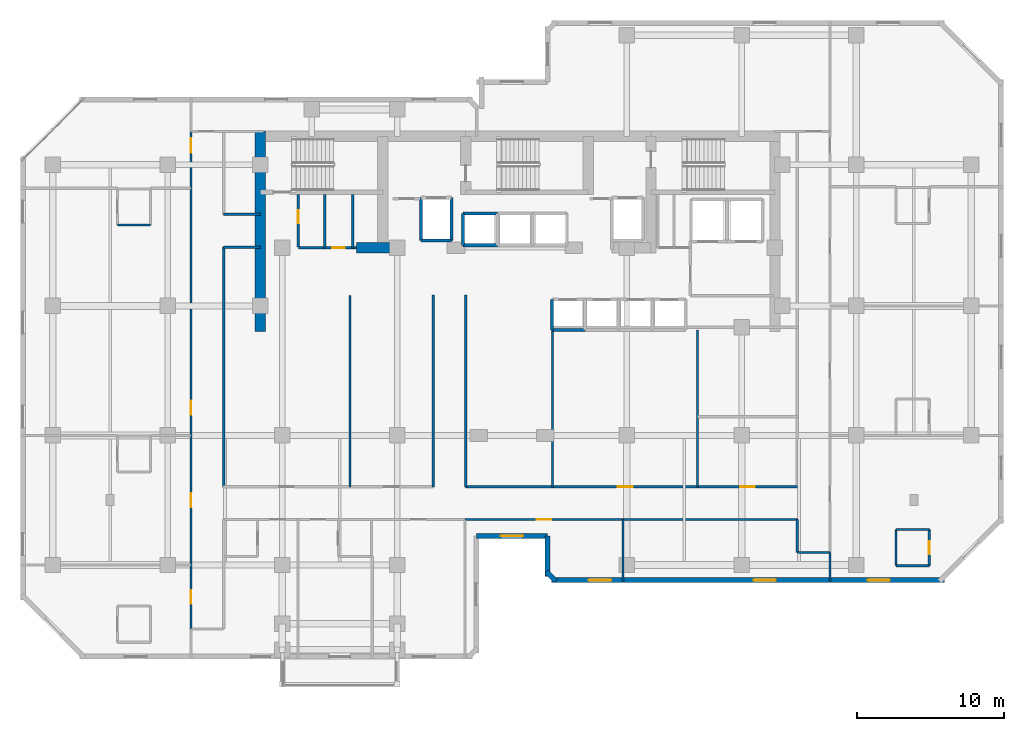
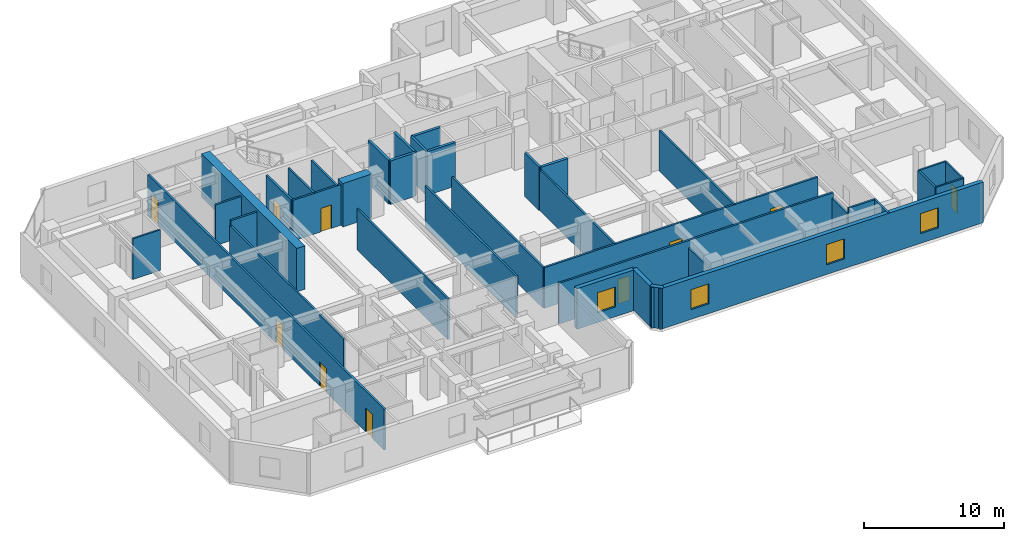
# One storey, part 6 of 11: 38 walls, 10 doors, 4 windows, 14 openings.
"""IFC4 building model written with IfcOpenShell, lengths in metres."""

import ifcopenshell
import ifcopenshell.guid

model = None  # the IFC model being written
_history = None  # IfcOwnerHistory: only IFC2X3 demands one
_inside = {}  # id of a spatial element -> (the spatial element, [elements in it])
_under = {}  # id of a project, library or spatial element -> (it, [spatial elements below it])
_declared = {}  # id of a project -> (the project, [libraries it declares])
_typed = {}  # id of a type object -> (the type object, [elements of that type])
_made_of = {}  # id of a material, layer set ... -> (it, [elements and type objects made of it])


def new_model(schema):
    """Start an empty IFC model of exactly this schema.

    Asked for "IFC4X3", IfcOpenShell would pick the latest addendum, in which some entities
    have other attributes; the version numbers below select the first issue.
    IFC2X3 requires an IfcOwnerHistory on every rooted entity: one is made here for all.
    """
    global model, _history
    if schema == "IFC4X3":
        model = ifcopenshell.file(schema_version=(4, 3, 0, 0))
    else:
        model = ifcopenshell.file(schema=schema)
    _inside.clear()
    _under.clear()
    _declared.clear()
    _typed.clear()
    _made_of.clear()
    _history = None
    if model.schema == "IFC2X3":
        org = make("IfcOrganization", Name="unknown")
        user = make(
            "IfcPersonAndOrganization",
            ThePerson=make("IfcPerson", FamilyName="unknown"),
            TheOrganization=org,
        )
        app = make(
            "IfcApplication",
            ApplicationDeveloper=org,
            Version="unknown",
            ApplicationFullName="unknown",
            ApplicationIdentifier="unknown",
        )
        _history = make(
            "IfcOwnerHistory",
            OwningUser=user,
            OwningApplication=app,
            ChangeAction="ADDED",
            CreationDate=0,
        )
    return model


def make(cls, **values):
    """One entity of the class cls with the attributes given. An attribute that is None is left unset."""
    return model.create_entity(
        cls, **{name: value for name, value in values.items() if value is not None}
    )


def rooted(cls, **values):
    """An entity with a GlobalId (a new one), such as an element, a storey or a relation."""
    return make(cls, GlobalId=ifcopenshell.guid.new(), OwnerHistory=_history, **values)


def si_unit(unit_type, name, prefix=None):
    """IfcSIUnit, for example si_unit("LENGTHUNIT", "METRE", prefix="MILLI")."""
    return make("IfcSIUnit", UnitType=unit_type, Prefix=prefix, Name=name)


def assignment(units):
    """IfcUnitAssignment: the units of a project."""
    return None if units is None else make("IfcUnitAssignment", Units=units)


def point(xyz):
    """IfcCartesianPoint."""
    return None if xyz is None else make("IfcCartesianPoint", Coordinates=xyz)


def direction(xyz):
    """IfcDirection."""
    return None if xyz is None else make("IfcDirection", DirectionRatios=xyz)


def frame(location, z_axis=None, x_axis=None):
    """IfcAxis2Placement3D, a coordinate frame: its origin and axes. An axis left out is left unset."""
    return make(
        "IfcAxis2Placement3D",
        Location=point(location),
        Axis=direction(z_axis),
        RefDirection=direction(x_axis),
    )


def frame_2d(location, x_axis=None):
    """IfcAxis2Placement2D, a coordinate frame in the plane: its origin and x axis."""
    return make(
        "IfcAxis2Placement2D", Location=point(location), RefDirection=direction(x_axis)
    )


def origin():
    """The frame at (0, 0, 0) with its axes left unset."""
    return frame((0.0, 0.0, 0.0))


def place(relative_to, where):
    """IfcLocalPlacement: puts the frame where relative to a parent placement (None: the world)."""
    return make(
        "IfcLocalPlacement", PlacementRelTo=relative_to, RelativePlacement=where
    )


def context(
    kind, dimensions, precision=None, world=None, true_north=None, identifier=None
):
    """IfcGeometricRepresentationContext, for example the 3D "Model" context."""
    return make(
        "IfcGeometricRepresentationContext",
        ContextIdentifier=identifier,
        ContextType=kind,
        CoordinateSpaceDimension=dimensions,
        Precision=precision,
        WorldCoordinateSystem=world,
        TrueNorth=true_north,
    )


def subcontext(parent, identifier, kind, view, scale=None):
    """IfcGeometricRepresentationSubContext, for example "Body" below "Model"."""
    return make(
        "IfcGeometricRepresentationSubContext",
        ContextIdentifier=identifier,
        ContextType=kind,
        ParentContext=parent,
        TargetScale=scale,
        TargetView=view,
    )


def project(units=None, contexts=None):
    """IfcProject with its units and contexts."""
    return rooted(
        "IfcProject",
        Name="project",
        RepresentationContexts=contexts,
        UnitsInContext=assignment(units),
    )


def spatial(cls, under=None, at=None, **own):
    """A site, building, storey or space (cls), placed at a placement, below another one or the project."""
    s = rooted(cls, ObjectPlacement=at, **own)
    if under is not None:
        _under.setdefault(under.id(), (under, []))[1].append(s)
    return s


def profile(cls, at=None, kind="AREA", **sizes):
    """A parametric profile (cls). Its sizes go by their IFC names, for example OverallWidth=200.0."""
    return make(cls, ProfileType=kind, Position=at, **sizes)


def rectangle(**sizes):
    """IfcRectangleProfileDef."""
    return profile("IfcRectangleProfileDef", **sizes)


def extrude(swept, where, along, depth):
    """IfcExtrudedAreaSolid: the profile swept, set in the frame where, extruded along a direction by depth."""
    return make(
        "IfcExtrudedAreaSolid",
        SweptArea=swept,
        Position=where,
        ExtrudedDirection=direction(along),
        Depth=depth,
    )


def shape(context_of_items, identifier, shape_type, items):
    """IfcShapeRepresentation: the items that make up one representation, for example the "Body"."""
    return make(
        "IfcShapeRepresentation",
        ContextOfItems=context_of_items,
        RepresentationIdentifier=identifier,
        RepresentationType=shape_type,
        Items=items,
    )


def material(Name=None, Category=None):
    """IfcMaterial."""
    return make("IfcMaterial", Name=Name, Category=Category)


def layer(
    of_material, thickness, ventilated=None, Name=None, Category=None, Priority=None
):
    """IfcMaterialLayer: one layer of a wall or slab, of a material (None: an air gap)."""
    return make(
        "IfcMaterialLayer",
        Material=of_material,
        LayerThickness=thickness,
        IsVentilated=ventilated,
        Name=Name,
        Category=Category,
        Priority=Priority,
    )


def layer_set(layers, Name=None):
    """IfcMaterialLayerSet."""
    return make("IfcMaterialLayerSet", MaterialLayers=layers, LayerSetName=Name)


def made_of(thing, what):
    """Note that an element or type object is made of a material, layer set ...; save() writes the relation."""
    if what is not None:
        _made_of.setdefault(what.id(), (what, []))[1].append(thing)
    return thing


def type_object(cls, material=None, **own):
    """A type object (cls), such as IfcWallType, which elements share."""
    return made_of(rooted(cls, **own), material)


def element(
    cls,
    number,
    at=None,
    inside=None,
    cuts=None,
    type_object=None,
    material=None,
    context=None,
    identifier="Body",
    shape_type=None,
    held_by="IfcProductDefinitionShape",
    body=None,
    shapes=None,
    **own,
):
    """One element of the class cls, such as IfcWall. Its Tag is "e" and its number.

    at: its placement. inside: the storey or other place that contains it. cuts: it is an
    opening in that element (IfcRelVoidsElement). A single representation is given by context,
    identifier, shape_type and body (its items); several are given by shapes. held_by: the class
    of the entity that holds the representations. save() writes the other relations.
    """
    e = rooted(cls, Tag="e%d" % number, ObjectPlacement=at, **own)
    if body is not None:
        shapes = [shape(context, identifier, shape_type, body)]
    if shapes is not None:
        e.Representation = make(held_by, Representations=shapes)
    if inside is not None:
        _inside.setdefault(inside.id(), (inside, []))[1].append(e)
    if cuts is not None:
        rooted(
            "IfcRelVoidsElement", RelatingBuildingElement=cuts, RelatedOpeningElement=e
        )
    if type_object is not None:
        _typed.setdefault(type_object.id(), (type_object, []))[1].append(e)
    return made_of(e, material)


def fill(opening, filler):
    """IfcRelFillsElement: the door or window that sits in an opening."""
    return rooted(
        "IfcRelFillsElement",
        RelatingOpeningElement=opening,
        RelatedBuildingElement=filler,
    )


def aggregate(whole, parts):
    """IfcRelAggregates: a whole, such as a stair, and the parts it consists of."""
    return rooted("IfcRelAggregates", RelatingObject=whole, RelatedObjects=parts)


def save(model, path):
    """Write the relations noted so far, then the file.

    IfcRelAggregates (storeys below a building ...), IfcRelContainedInSpatialStructure (elements
    in a storey), IfcRelDefinesByType, IfcRelAssociatesMaterial and IfcRelDeclares: one each for
    every whole, place, type object, material and project.
    """
    for whole, parts in _under.values():
        aggregate(whole, parts)
    for where, things in _inside.values():
        rooted(
            "IfcRelContainedInSpatialStructure",
            RelatedElements=things,
            RelatingStructure=where,
        )
    for kind, things in _typed.values():
        rooted("IfcRelDefinesByType", RelatedObjects=things, RelatingType=kind)
    for what, things in _made_of.values():
        rooted("IfcRelAssociatesMaterial", RelatedObjects=things, RelatingMaterial=what)
    for by, libraries in _declared.values():
        rooted("IfcRelDeclares", RelatingContext=by, RelatedDefinitions=libraries)
    model.write(path)


model = new_model("IFC4")

# Units and contexts
model_context = context("Model", 3, precision=1e-05, world=origin(), true_north=direction((0.0, 1.0)))
body_context = subcontext(model_context, "Body", "Model", "MODEL_VIEW")
ifc_project = project(units=[si_unit("LENGTHUNIT", "METRE"), si_unit("AREAUNIT", "SQUARE_METRE"), si_unit("VOLUMEUNIT", "CUBIC_METRE"), si_unit("PLANEANGLEUNIT", "RADIAN"), si_unit("MASSUNIT", "GRAM", prefix="KILO")], contexts=[model_context])

# Site, building, storey
site_placement = place(None, origin())
site = spatial("IfcSite", under=ifc_project, at=site_placement, CompositionType="ELEMENT")
building_placement = place(site_placement, origin())
building = spatial("IfcBuilding", under=site, at=building_placement, Name="Kestravale Grand Hotel", CompositionType="ELEMENT")
storey_placement = place(building_placement, frame((0.0, 0.0, 168.800048828125)))
storey = spatial("IfcBuildingStorey", under=building, at=storey_placement, Name="L42", CompositionType="ELEMENT", Elevation=168.800048828125)

# Walls
ifc_material_1 = material(Name="Concrete f'c 60 MPa", Category="concrete")
ifc_layer_1 = layer(ifc_material_1, 0.699951171875)
ifc_layer_set_1 = layer_set([ifc_layer_1], Name="EW-CORE-700")
wall_type_1 = type_object("IfcWallType", Name="EW-CORE-700", PredefinedType="SHEAR", material=ifc_layer_set_1)
wall_1_placement = place(storey_placement, frame((21.89990234375, 27.050048828125, 0.0), z_axis=(0.0, 0.0, 1.0), x_axis=(0.0, 1.0, 0.0)))
element("IfcWall", 1, at=wall_1_placement, inside=storey, type_object=wall_type_1, Name="L42 core shear wall W1", PredefinedType="SHEAR", context=body_context, shape_type="SweptSolid", body=[
    extrude(rectangle(XDim=13.619873046875, YDim=0.699951171875, at=frame_2d((6.81005859375, 0.0))), origin(), (0.0, 0.0, 1.0), 3.800048828125),
])
wall_2_placement = place(storey_placement, frame((28.449951171875, 32.75, 0.0), z_axis=(0.0, 0.0, 1.0), x_axis=(1.0, 0.0, 0.0)))
element("IfcWall", 2, at=wall_2_placement, inside=storey, type_object=wall_type_1, Name="L42 core shear wall S1", PredefinedType="SHEAR", context=body_context, shape_type="SweptSolid", body=[
    extrude(rectangle(XDim=2.400146484375, YDim=0.699951171875, at=frame_2d((1.2001953125, 0.0))), origin(), (0.0, 0.0, 1.0), 3.800048828125),
])

# Wall, opening, window
ifc_material_2 = material(Name="Precast concrete f'c 45 MPa", Category="concrete")
ifc_layer_2 = layer(ifc_material_2, 0.340087890625)
ifc_layer_set_2 = layer_set([ifc_layer_2], Name="EW-PREC-340")
wall_type_2 = type_object("IfcWallType", Name="EW-PREC-340", PredefinedType="SOLIDWALL", material=ifc_layer_set_2)
wall_3_placement = place(storey_placement, frame((36.580078125, 13.169921875, 0.0), z_axis=(0.0, 0.0, 1.0), x_axis=(1.0, 0.0, 0.0)))
wall_3 = element("IfcWall", 3, at=wall_3_placement, inside=storey, type_object=wall_type_2, Name="L42 fluted precast facade wall 4", PredefinedType="SOLIDWALL", context=body_context, shape_type="SweptSolid", body=[
    extrude(rectangle(XDim=4.83984375, YDim=0.340087890625, at=frame_2d((2.419921875, 0.0))), origin(), (0.0, 0.0, 1.0), 3.550048828125),
])
opening_1_placement = place(wall_3_placement, frame((1.669921875, 0.0, 0.85009765625)))
opening_1 = element("IfcOpeningElement", 4, at=opening_1_placement, cuts=wall_3, Name="Opening W-GUEST-1500", PredefinedType="OPENING", context=body_context, shape_type="SweptSolid", body=[
    extrude(rectangle(XDim=1.5, YDim=1.75, at=frame_2d((0.75, 0.875))), frame((0.0, 0.179931640625, 0.0), z_axis=(0.0, -1.0, 0.0), x_axis=(1.0, 0.0, 0.0)), (0.0, 0.0, 1.0), 0.360107421875),
])
ifc_material_3 = material(Name="Insulated low-E double glazing in aluminium frame", Category="aluminium")
window_type = type_object("IfcWindowType", Name="W-GUEST-1500", PartitioningType="SINGLE_PANEL", PredefinedType="WINDOW", material=ifc_material_3)
window_1_placement = place(opening_1_placement, origin())
window_1 = element("IfcWindow", 5, at=window_1_placement, inside=storey, type_object=window_type, Name="L42 exterior window 4.1", OverallHeight=1.75, OverallWidth=1.5, PartitioningType="SINGLE_PANEL", PredefinedType="WINDOW", context=body_context, shape_type="SweptSolid", body=[
    extrude(rectangle(XDim=1.5, YDim=1.75, at=frame_2d((0.75, 0.875))), frame((0.0, 0.030029296875, 0.0), z_axis=(0.0, -1.0, 0.0), x_axis=(1.0, 0.0, 0.0)), (0.0, 0.0, 1.0), 0.06005859375),
])
fill(opening_1, window_1)

# Walls
wall_4_placement = place(storey_placement, frame((41.419921875, 13.169921875, 0.0), z_axis=(0.0, 0.0, 1.0), x_axis=(0.0, -1.0, 0.0)))
element("IfcWall", 6, at=wall_4_placement, inside=storey, type_object=wall_type_2, Name="L42 fluted precast facade wall 5", PredefinedType="SOLIDWALL", context=body_context, shape_type="SweptSolid", body=[
    extrude(rectangle(XDim=2.739990234375, YDim=0.340087890625, at=frame_2d((1.3701171875, 0.0))), origin(), (0.0, 0.0, 1.0), 3.550048828125),
])
wall_5_placement = place(storey_placement, frame((41.341796875, 10.74853515625, 0.0), z_axis=(0.0, 0.0, 1.0), x_axis=(0.707106781187, -0.707106781187, 0.0)))
element("IfcWall", 7, at=wall_5_placement, inside=storey, type_object=wall_type_2, Name="L42 fluted precast facade wall 6", PredefinedType="SOLIDWALL", context=body_context, shape_type="SweptSolid", body=[
    extrude(rectangle(XDim=0.9287109375, YDim=0.340087890625, at=frame_2d((0.46435546875, 0.0))), origin(), (0.0, 0.0, 1.0), 3.550048828125),
])

# Wall, openings, windows
wall_6_placement = place(storey_placement, frame((41.679931640625, 10.169921875, 0.0), z_axis=(0.0, 0.0, 1.0), x_axis=(1.0, 0.0, 0.0)))
wall_6 = element("IfcWall", 8, at=wall_6_placement, inside=storey, type_object=wall_type_2, Name="L42 fluted precast facade wall 7", PredefinedType="SOLIDWALL", context=body_context, shape_type="SweptSolid", body=[
    extrude(rectangle(XDim=26.690185546875, YDim=0.340087890625, at=frame_2d((13.34521484375, 0.0))), origin(), (0.0, 0.0, 1.0), 3.550048828125),
])
opening_2_placement = place(wall_6_placement, frame((2.54833984375, 0.0, 0.85009765625)))
opening_2 = element("IfcOpeningElement", 9, at=opening_2_placement, cuts=wall_6, Name="Opening W-GUEST-1500", PredefinedType="OPENING", context=body_context, shape_type="SweptSolid", body=[
    extrude(rectangle(XDim=1.5, YDim=1.75, at=frame_2d((0.75, 0.875))), frame((0.0, 0.179931640625, 0.0), z_axis=(0.0, -1.0, 0.0), x_axis=(1.0, 0.0, 0.0)), (0.0, 0.0, 1.0), 0.360107421875),
])
opening_3_placement = place(wall_6_placement, frame((13.7451171875, 0.0, 0.85009765625)))
opening_3 = element("IfcOpeningElement", 10, at=opening_3_placement, cuts=wall_6, Name="Opening W-GUEST-1500", PredefinedType="OPENING", context=body_context, shape_type="SweptSolid", body=[
    extrude(rectangle(XDim=1.5, YDim=1.75, at=frame_2d((0.75, 0.875))), frame((0.0, 0.179931640625, 0.0), z_axis=(0.0, -1.0, 0.0), x_axis=(1.0, 0.0, 0.0)), (0.0, 0.0, 1.0), 0.360107421875),
])
opening_4_placement = place(wall_6_placement, frame((21.49169921875, 0.0, 0.85009765625)))
opening_4 = element("IfcOpeningElement", 11, at=opening_4_placement, cuts=wall_6, Name="Opening W-GUEST-1500", PredefinedType="OPENING", context=body_context, shape_type="SweptSolid", body=[
    extrude(rectangle(XDim=1.5, YDim=1.75, at=frame_2d((0.75, 0.875))), frame((0.0, 0.179931640625, 0.0), z_axis=(0.0, -1.0, 0.0), x_axis=(1.0, 0.0, 0.0)), (0.0, 0.0, 1.0), 0.360107421875),
])
window_2_placement = place(opening_2_placement, origin())
window_2 = element("IfcWindow", 12, at=window_2_placement, inside=storey, type_object=window_type, Name="L42 exterior window 7.1", OverallHeight=1.75, OverallWidth=1.5, PartitioningType="SINGLE_PANEL", PredefinedType="WINDOW", context=body_context, shape_type="SweptSolid", body=[
    extrude(rectangle(XDim=1.5, YDim=1.75, at=frame_2d((0.75, 0.875))), frame((0.0, 0.030029296875, 0.0), z_axis=(0.0, -1.0, 0.0), x_axis=(1.0, 0.0, 0.0)), (0.0, 0.0, 1.0), 0.06005859375),
])
fill(opening_2, window_2)
window_3_placement = place(opening_3_placement, origin())
window_3 = element("IfcWindow", 13, at=window_3_placement, inside=storey, type_object=window_type, Name="L42 exterior window 7.2", OverallHeight=1.75, OverallWidth=1.5, PartitioningType="SINGLE_PANEL", PredefinedType="WINDOW", context=body_context, shape_type="SweptSolid", body=[
    extrude(rectangle(XDim=1.5, YDim=1.75, at=frame_2d((0.75, 0.875))), frame((0.0, 0.030029296875, 0.0), z_axis=(0.0, -1.0, 0.0), x_axis=(1.0, 0.0, 0.0)), (0.0, 0.0, 1.0), 0.06005859375),
])
fill(opening_3, window_3)
window_4_placement = place(opening_4_placement, origin())
window_4 = element("IfcWindow", 14, at=window_4_placement, inside=storey, type_object=window_type, Name="L42 exterior window 7.3", OverallHeight=1.75, OverallWidth=1.5, PartitioningType="SINGLE_PANEL", PredefinedType="WINDOW", context=body_context, shape_type="SweptSolid", body=[
    extrude(rectangle(XDim=1.5, YDim=1.75, at=frame_2d((0.75, 0.875))), frame((0.0, 0.030029296875, 0.0), z_axis=(0.0, -1.0, 0.0), x_axis=(1.0, 0.0, 0.0)), (0.0, 0.0, 1.0), 0.06005859375),
])
fill(opening_4, window_4)

# Wall, opening, door
ifc_material_4 = material(Name="Acoustic fire-rated gypsum board partition", Category="other")
ifc_layer_3 = layer(ifc_material_4, 0.159912109375)
ifc_layer_set_3 = layer_set([ifc_layer_3], Name="IW-CORR-160")
wall_type_3 = type_object("IfcWallType", Name="IW-CORR-160", PredefinedType="PARTITIONING", material=ifc_layer_set_3)
wall_7_placement = place(storey_placement, frame((24.47998046875, 32.800048828125, 0.0), z_axis=(0.0, 0.0, 1.0), x_axis=(0.0, 1.0, 0.0)))
wall_7 = element("IfcWall", 15, at=wall_7_placement, inside=storey, type_object=wall_type_3, Name="L42 west core vestibule wall", PredefinedType="PARTITIONING", context=body_context, shape_type="SweptSolid", body=[
    extrude(rectangle(XDim=3.570068359375, YDim=0.159912109375, at=frame_2d((1.78515625, 0.0))), origin(), (0.0, 0.0, 1.0), 3.550048828125),
])
opening_5_placement = place(wall_7_placement, frame((1.603515625, 0.0, 0.0)))
opening_5 = element("IfcOpeningElement", 16, at=opening_5_placement, cuts=wall_7, Name="Opening D-SH-900", PredefinedType="OPENING", context=body_context, shape_type="SweptSolid", body=[
    extrude(rectangle(XDim=0.89990234375, YDim=2.10009765625, at=frame_2d((0.449951171875, 1.050048828125))), frame((0.0, 0.08984375, 0.0), z_axis=(0.0, -1.0, 0.0), x_axis=(1.0, 0.0, 0.0)), (0.0, 0.0, 1.0), 0.179931640625),
])
ifc_material_5 = material(Name="Galvanised 90-minute shaft and service fire door", Category="steel")
door_type_1 = type_object("IfcDoorType", Name="D-SH-900", OperationType="NOTDEFINED", PredefinedType="DOOR", material=ifc_material_5)
door_1_placement = place(opening_5_placement, origin())
door_1 = element("IfcDoor", 17, at=door_1_placement, inside=storey, type_object=door_type_1, Name="D-L42-HK", OperationType="SINGLE_SWING_RIGHT", OverallHeight=2.10009765625, OverallWidth=0.89990234375, PredefinedType="DOOR", context=body_context, shape_type="SweptSolid", body=[
    extrude(rectangle(XDim=0.89990234375, YDim=2.10009765625, at=frame_2d((0.449951171875, 1.050048828125))), frame((0.0, 0.02490234375, 0.0), z_axis=(0.0, -1.0, 0.0), x_axis=(1.0, 0.0, 0.0)), (0.0, 0.0, 1.0), 0.050048828125),
])
fill(opening_5, door_1)

wall_8_placement = place(storey_placement, frame((24.47998046875, 32.75, 0.0), z_axis=(0.0, 0.0, 1.0), x_axis=(1.0, 0.0, 0.0)))
wall_8 = element("IfcWall", 18, at=wall_8_placement, inside=storey, type_object=wall_type_3, Name="W-L42-CWS", PredefinedType="PARTITIONING", context=body_context, shape_type="SweptSolid", body=[
    extrude(rectangle(XDim=3.969970703125, YDim=0.159912109375, at=frame_2d((1.98486328125, 0.0))), origin(), (0.0, 0.0, 1.0), 3.550048828125),
])
opening_6_placement = place(wall_8_placement, frame((2.31005859375, 0.0, 0.0)))
opening_6 = element("IfcOpeningElement", 19, at=opening_6_placement, cuts=wall_8, Name="Opening D-SH-860", PredefinedType="OPENING", context=body_context, shape_type="SweptSolid", body=[
    extrude(rectangle(XDim=0.860107421875, YDim=2.050048828125, at=frame_2d((0.43017578125, 1.02490234375))), frame((0.0, 0.08984375, 0.0), z_axis=(0.0, -1.0, 0.0), x_axis=(1.0, 0.0, 0.0)), (0.0, 0.0, 1.0), 0.179931640625),
])
ifc_material_6 = material(Name="Galvanised 90-minute riser fire door", Category="steel")
door_type_2 = type_object("IfcDoorType", Name="D-SH-860", OperationType="NOTDEFINED", PredefinedType="DOOR", material=ifc_material_6)
door_2_placement = place(opening_6_placement, origin())
door_2 = element("IfcDoor", 20, at=door_2_placement, inside=storey, type_object=door_type_2, Name="D-L42-IDF", OperationType="SINGLE_SWING_RIGHT", OverallHeight=2.050048828125, OverallWidth=0.860107421875, PredefinedType="DOOR", context=body_context, shape_type="SweptSolid", body=[
    extrude(rectangle(XDim=0.860107421875, YDim=2.050048828125, at=frame_2d((0.43017578125, 1.02490234375))), frame((0.0, 0.02490234375, 0.0), z_axis=(0.0, -1.0, 0.0), x_axis=(1.0, 0.0, 0.0)), (0.0, 0.0, 1.0), 0.050048828125),
])
fill(opening_6, door_2)

# Wall, openings, doors
wall_9_placement = place(storey_placement, frame((35.85009765625, 16.510009765625, 0.0), z_axis=(0.0, 0.0, 1.0), x_axis=(1.0, 0.0, 0.0)))
wall_9 = element("IfcWall", 21, at=wall_9_placement, inside=storey, type_object=wall_type_3, Name="W-L42-CE-N", PredefinedType="PARTITIONING", context=body_context, shape_type="SweptSolid", body=[
    extrude(rectangle(XDim=22.599853515625, YDim=0.159912109375, at=frame_2d((11.2998046875, 0.0))), origin(), (0.0, 0.0, 1.0), 3.550048828125),
])
opening_7_placement = place(wall_9_placement, frame((10.35009765625, 0.0, 0.0)))
opening_7 = element("IfcOpeningElement", 22, at=opening_7_placement, cuts=wall_9, Name="Opening D-GUEST-1000", PredefinedType="OPENING", context=body_context, shape_type="SweptSolid", body=[
    extrude(rectangle(XDim=1.0, YDim=2.14990234375, at=frame_2d((0.5, 1.074951171875))), frame((0.0, 0.08984375, 0.0), z_axis=(0.0, -1.0, 0.0), x_axis=(1.0, 0.0, 0.0)), (0.0, 0.0, 1.0), 0.179931640625),
])
opening_8_placement = place(wall_9_placement, frame((18.64990234375, 0.0, 0.0)))
opening_8 = element("IfcOpeningElement", 23, at=opening_8_placement, cuts=wall_9, Name="Opening D-GUEST-1000", PredefinedType="OPENING", context=body_context, shape_type="SweptSolid", body=[
    extrude(rectangle(XDim=1.0, YDim=2.14990234375, at=frame_2d((0.5, 1.074951171875))), frame((0.0, 0.08984375, 0.0), z_axis=(0.0, -1.0, 0.0), x_axis=(1.0, 0.0, 0.0)), (0.0, 0.0, 1.0), 0.179931640625),
])
ifc_material_7 = material(Name="Accessible walnut veneer hotel entrance fire door", Category="wood")
door_type_3 = type_object("IfcDoorType", Name="D-GUEST-1000", OperationType="NOTDEFINED", PredefinedType="DOOR", material=ifc_material_7)
door_3_placement = place(opening_7_placement, origin())
door_3 = element("IfcDoor", 24, at=door_3_placement, inside=storey, type_object=door_type_3, Name="D-L42-RECL-E1", OperationType="SINGLE_SWING_LEFT", OverallHeight=2.14990234375, OverallWidth=1.0, PredefinedType="DOOR", context=body_context, shape_type="SweptSolid", body=[
    extrude(rectangle(XDim=1.0, YDim=2.14990234375, at=frame_2d((0.5, 1.074951171875))), frame((0.0, 0.02490234375, 0.0), z_axis=(0.0, -1.0, 0.0), x_axis=(1.0, 0.0, 0.0)), (0.0, 0.0, 1.0), 0.050048828125),
])
fill(opening_7, door_3)
door_4_placement = place(opening_8_placement, origin())
door_4 = element("IfcDoor", 25, at=door_4_placement, inside=storey, type_object=door_type_3, Name="D-L42-RECL-E2", OperationType="SINGLE_SWING_RIGHT", OverallHeight=2.14990234375, OverallWidth=1.0, PredefinedType="DOOR", context=body_context, shape_type="SweptSolid", body=[
    extrude(rectangle(XDim=1.0, YDim=2.14990234375, at=frame_2d((0.5, 1.074951171875))), frame((0.0, 0.02490234375, 0.0), z_axis=(0.0, -1.0, 0.0), x_axis=(1.0, 0.0, 0.0)), (0.0, 0.0, 1.0), 0.050048828125),
])
fill(opening_8, door_4)

# Walls
for number, where, z_axis, x_axis, name in (
    (26, (33.64990234375, 16.510009765625, 0.0), (0.0, 0.0, 1.0), (0.0, 1.0, 0.0), "W-L42-TRUNK-W"),
    (27, (35.85009765625, 16.510009765625, 0.0), (0.0, 0.0, 1.0), (0.0, 1.0, 0.0), "W-L42-TRUNK-E"),
):
    element("IfcWall", number, at=place(storey_placement, frame(where, z_axis=z_axis, x_axis=x_axis)), inside=storey, type_object=wall_type_3, Name=name, PredefinedType="PARTITIONING", context=body_context, shape_type="SweptSolid", body=[
        extrude(rectangle(XDim=13.0400390625, YDim=0.159912109375, at=frame_2d((6.52001953125, 0.0))), origin(), (0.0, 0.0, 1.0), 3.550048828125),
    ])

# Wall, opening, door
wall_10_placement = place(storey_placement, frame((35.800048828125, 14.2900390625, 0.0), z_axis=(0.0, 0.0, 1.0), x_axis=(1.0, 0.0, 0.0)))
wall_10 = element("IfcWall", 28, at=wall_10_placement, inside=storey, type_object=wall_type_3, Name="W-L42-CE-S", PredefinedType="PARTITIONING", context=body_context, shape_type="SweptSolid", body=[
    extrude(rectangle(XDim=22.64990234375, YDim=0.159912109375, at=frame_2d((11.324951171875, 0.0))), origin(), (0.0, 0.0, 1.0), 3.550048828125),
])
opening_9_placement = place(wall_10_placement, frame((4.87255859375, 0.0, 0.0)))
opening_9 = element("IfcOpeningElement", 29, at=opening_9_placement, cuts=wall_10, Name="Opening D-GUEST-1000", PredefinedType="OPENING", context=body_context, shape_type="SweptSolid", body=[
    extrude(rectangle(XDim=1.0, YDim=2.14990234375, at=frame_2d((0.5, 1.074951171875))), frame((0.0, 0.08984375, 0.0), z_axis=(0.0, -1.0, 0.0), x_axis=(1.0, 0.0, 0.0)), (0.0, 0.0, 1.0), 0.179931640625),
])
door_5_placement = place(opening_9_placement, origin())
door_5 = element("IfcDoor", 30, at=door_5_placement, inside=storey, type_object=door_type_3, Name="D-L42-AME", OperationType="SINGLE_SWING_RIGHT", OverallHeight=2.14990234375, OverallWidth=1.0, PredefinedType="DOOR", context=body_context, shape_type="SweptSolid", body=[
    extrude(rectangle(XDim=1.0, YDim=2.14990234375, at=frame_2d((0.5, 1.074951171875))), frame((0.0, 0.02490234375, 0.0), z_axis=(0.0, -1.0, 0.0), x_axis=(1.0, 0.0, 0.0)), (0.0, 0.0, 1.0), 0.050048828125),
])
fill(opening_9, door_5)

# Wall, openings, doors
wall_11_placement = place(storey_placement, frame((17.18994140625, 6.85009765625, 0.0), z_axis=(0.0, 0.0, 1.0), x_axis=(0.0, 1.0, 0.0)))
wall_11 = element("IfcWall", 31, at=wall_11_placement, inside=storey, type_object=wall_type_3, Name="W-L42-SW-W", PredefinedType="PARTITIONING", context=body_context, shape_type="SweptSolid", body=[
    extrude(rectangle(XDim=33.7998046875, YDim=0.159912109375, at=frame_2d((16.89990234375, 0.0))), origin(), (0.0, 0.0, 1.0), 3.550048828125),
])
opening_10_placement = place(wall_11_placement, frame((1.699951171875, 0.0, 0.0)))
opening_10 = element("IfcOpeningElement", 32, at=opening_10_placement, cuts=wall_11, Name="Opening D-GUEST-950", PredefinedType="OPENING", context=body_context, shape_type="SweptSolid", body=[
    extrude(rectangle(XDim=0.949951171875, YDim=2.10009765625, at=frame_2d((0.47509765625, 1.050048828125))), frame((0.0, 0.08984375, 0.0), z_axis=(0.0, -1.0, 0.0), x_axis=(1.0, 0.0, 0.0)), (0.0, 0.0, 1.0), 0.179931640625),
])
opening_11_placement = place(wall_11_placement, frame((8.27490234375, 0.0, 0.0)))
opening_11 = element("IfcOpeningElement", 33, at=opening_11_placement, cuts=wall_11, Name="Opening D-GUEST-950", PredefinedType="OPENING", context=body_context, shape_type="SweptSolid", body=[
    extrude(rectangle(XDim=0.949951171875, YDim=2.10009765625, at=frame_2d((0.47509765625, 1.050048828125))), frame((0.0, 0.08984375, 0.0), z_axis=(0.0, -1.0, 0.0), x_axis=(1.0, 0.0, 0.0)), (0.0, 0.0, 1.0), 0.179931640625),
])
opening_12_placement = place(wall_11_placement, frame((14.543212890625, 0.0, 0.0)))
opening_12 = element("IfcOpeningElement", 34, at=opening_12_placement, cuts=wall_11, Name="Opening D-GUEST-950", PredefinedType="OPENING", context=body_context, shape_type="SweptSolid", body=[
    extrude(rectangle(XDim=0.949951171875, YDim=2.10009765625, at=frame_2d((0.47509765625, 1.050048828125))), frame((0.0, 0.08984375, 0.0), z_axis=(0.0, -1.0, 0.0), x_axis=(1.0, 0.0, 0.0)), (0.0, 0.0, 1.0), 0.179931640625),
])
opening_13_placement = place(wall_11_placement, frame((32.360107421875, 0.0, 0.0)))
opening_13 = element("IfcOpeningElement", 35, at=opening_13_placement, cuts=wall_11, Name="Opening D-GUEST-1000", PredefinedType="OPENING", context=body_context, shape_type="SweptSolid", body=[
    extrude(rectangle(XDim=1.0, YDim=2.14990234375, at=frame_2d((0.5, 1.074951171875))), frame((0.0, 0.08984375, 0.0), z_axis=(0.0, -1.0, 0.0), x_axis=(1.0, 0.0, 0.0)), (0.0, 0.0, 1.0), 0.179931640625),
])
door_6_placement = place(opening_13_placement, origin())
door_6 = element("IfcDoor", 36, at=door_6_placement, inside=storey, type_object=door_type_3, Name="D-L42-AMWW", OperationType="SINGLE_SWING_LEFT", OverallHeight=2.14990234375, OverallWidth=1.0, PredefinedType="DOOR", context=body_context, shape_type="SweptSolid", body=[
    extrude(rectangle(XDim=1.0, YDim=2.14990234375, at=frame_2d((0.5, 1.074951171875))), frame((0.0, 0.02490234375, 0.0), z_axis=(0.0, -1.0, 0.0), x_axis=(1.0, 0.0, 0.0)), (0.0, 0.0, 1.0), 0.050048828125),
])
fill(opening_13, door_6)
ifc_material_8 = material(Name="Walnut veneer hotel guestroom entrance fire door", Category="wood")
door_type_4 = type_object("IfcDoorType", Name="D-GUEST-950", OperationType="NOTDEFINED", PredefinedType="DOOR", material=ifc_material_8)
door_7_placement = place(opening_10_placement, origin())
door_7 = element("IfcDoor", 37, at=door_7_placement, inside=storey, type_object=door_type_4, Name="D-L42-U03-ENT", OperationType="SINGLE_SWING_RIGHT", OverallHeight=2.10009765625, OverallWidth=0.949951171875, PredefinedType="DOOR", context=body_context, shape_type="SweptSolid", body=[
    extrude(rectangle(XDim=0.949951171875, YDim=2.10009765625, at=frame_2d((0.47509765625, 1.050048828125))), frame((0.0, 0.02490234375, 0.0), z_axis=(0.0, -1.0, 0.0), x_axis=(1.0, 0.0, 0.0)), (0.0, 0.0, 1.0), 0.050048828125),
])
fill(opening_10, door_7)
door_8_placement = place(opening_11_placement, origin())
door_8 = element("IfcDoor", 38, at=door_8_placement, inside=storey, type_object=door_type_4, Name="D-L42-U04-ENT", OperationType="SINGLE_SWING_RIGHT", OverallHeight=2.10009765625, OverallWidth=0.949951171875, PredefinedType="DOOR", context=body_context, shape_type="SweptSolid", body=[
    extrude(rectangle(XDim=0.949951171875, YDim=2.10009765625, at=frame_2d((0.47509765625, 1.050048828125))), frame((0.0, 0.02490234375, 0.0), z_axis=(0.0, -1.0, 0.0), x_axis=(1.0, 0.0, 0.0)), (0.0, 0.0, 1.0), 0.050048828125),
])
fill(opening_11, door_8)
door_9_placement = place(opening_12_placement, origin())
door_9 = element("IfcDoor", 39, at=door_9_placement, inside=storey, type_object=door_type_4, Name="D-L42-U05-ENT", OperationType="SINGLE_SWING_RIGHT", OverallHeight=2.10009765625, OverallWidth=0.949951171875, PredefinedType="DOOR", context=body_context, shape_type="SweptSolid", body=[
    extrude(rectangle(XDim=0.949951171875, YDim=2.10009765625, at=frame_2d((0.47509765625, 1.050048828125))), frame((0.0, 0.02490234375, 0.0), z_axis=(0.0, -1.0, 0.0), x_axis=(1.0, 0.0, 0.0)), (0.0, 0.0, 1.0), 0.050048828125),
])
fill(opening_12, door_9)

# Walls
for number, where, z_axis, x_axis, name in (
    (40, (19.409912109375, 35.02001953125, 0.0), (0.0, 0.0, 1.0), (1.0, 0.0, 0.0), "W-L42-SW-CN"),
    (41, (19.409912109375, 32.780029296875, 0.0), (0.0, 0.0, 1.0), (1.0, 0.0, 0.0), "W-L42-SW-CS"),
):
    element("IfcWall", number, at=place(storey_placement, frame(where, z_axis=z_axis, x_axis=x_axis)), inside=storey, type_object=wall_type_3, Name=name, PredefinedType="PARTITIONING", context=body_context, shape_type="SweptSolid", body=[
        extrude(rectangle(XDim=2.489990234375, YDim=0.159912109375, at=frame_2d((1.2451171875, 0.0))), origin(), (0.0, 0.0, 1.0), 3.550048828125),
    ])
wall_12_placement = place(storey_placement, frame((58.389892578125, 12.050048828125, 0.0), z_axis=(0.0, 0.0, 1.0), x_axis=(0.0, 1.0, 0.0)))
element("IfcWall", 42, at=wall_12_placement, inside=storey, type_object=wall_type_3, Name="W-L42-SE-W", PredefinedType="PARTITIONING", context=body_context, shape_type="SweptSolid", body=[
    extrude(rectangle(XDim=2.239990234375, YDim=0.159912109375, at=frame_2d((1.1201171875, 0.0))), origin(), (0.0, 0.0, 1.0), 3.093017578125),
])
ifc_material_9 = material(Name="Moisture-resistant tile-backer plumbing chase wall", Category="other")
ifc_layer_4 = layer(ifc_material_9, 0.139892578125)
ifc_layer_set_4 = layer_set([ifc_layer_4], Name="IW-PLB-140")
wall_type_4 = type_object("IfcWallType", Name="IW-PLB-140", PredefinedType="PLUMBINGWALL", material=ifc_layer_set_4)
wall_13_placement = place(storey_placement, frame((12.199951171875, 34.31005859375, 0.0), z_axis=(0.0, 0.0, 1.0), x_axis=(1.0, 0.0, 0.0)))
element("IfcWall", 43, at=wall_13_placement, inside=storey, type_object=wall_type_4, Name="W-L42-U05-BS", PredefinedType="PLUMBINGWALL", context=body_context, shape_type="SweptSolid", body=[
    extrude(rectangle(XDim=2.25, YDim=0.139892578125, at=frame_2d((1.125, 0.0))), origin(), (0.0, 0.0, 1.0), 3.550048828125),
])
wall_14_placement = place(storey_placement, frame((65.10009765625, 11.14990234375, 0.0), z_axis=(0.0, 0.0, 1.0), x_axis=(0.0, 1.0, 0.0)))
element("IfcWall", 44, at=wall_14_placement, inside=storey, type_object=wall_type_4, Name="W-L42-U06-BW", PredefinedType="PLUMBINGWALL", context=body_context, shape_type="SweptSolid", body=[
    extrude(rectangle(XDim=2.4501953125, YDim=0.139892578125, at=frame_2d((1.22509765625, 0.0))), origin(), (0.0, 0.0, 1.0), 3.550048828125),
])

# Wall, opening, door
wall_15_placement = place(storey_placement, frame((67.35009765625, 11.14990234375, 0.0), z_axis=(0.0, 0.0, 1.0), x_axis=(0.0, 1.0, 0.0)))
wall_15 = element("IfcWall", 45, at=wall_15_placement, inside=storey, type_object=wall_type_4, Name="W-L42-U06-BE", PredefinedType="PLUMBINGWALL", context=body_context, shape_type="SweptSolid", body=[
    extrude(rectangle(XDim=2.4501953125, YDim=0.139892578125, at=frame_2d((1.22509765625, 0.0))), origin(), (0.0, 0.0, 1.0), 3.550048828125),
])
opening_14_placement = place(wall_15_placement, frame((0.784912109375, 0.0, 0.0)))
opening_14 = element("IfcOpeningElement", 46, at=opening_14_placement, cuts=wall_15, Name="Opening D-BATH-880", PredefinedType="OPENING", context=body_context, shape_type="SweptSolid", body=[
    extrude(rectangle(XDim=0.8798828125, YDim=2.050048828125, at=frame_2d((0.43994140625, 1.02490234375))), frame((0.0, 0.079833984375, 0.0), z_axis=(0.0, -1.0, 0.0), x_axis=(1.0, 0.0, 0.0)), (0.0, 0.0, 1.0), 0.159912109375),
])
ifc_material_10 = material(Name="Moisture-sealed walnut en-suite bathroom door", Category="wood")
door_type_5 = type_object("IfcDoorType", Name="D-BATH-880", OperationType="NOTDEFINED", PredefinedType="DOOR", material=ifc_material_10)
door_10_placement = place(opening_14_placement, origin())
door_10 = element("IfcDoor", 47, at=door_10_placement, inside=storey, type_object=door_type_5, Name="D-L42-U06-BATH", OperationType="SINGLE_SWING_RIGHT", OverallHeight=2.050048828125, OverallWidth=0.8798828125, PredefinedType="DOOR", context=body_context, shape_type="SweptSolid", body=[
    extrude(rectangle(XDim=0.8798828125, YDim=2.050048828125, at=frame_2d((0.43994140625, 1.02490234375))), frame((0.0, 0.02490234375, 0.0), z_axis=(0.0, -1.0, 0.0), x_axis=(1.0, 0.0, 0.0)), (0.0, 0.0, 1.0), 0.050048828125),
])
fill(opening_14, door_10)

# Walls
for number, where, z_axis, x_axis, name in (
    (48, (65.10009765625, 11.14990234375, 0.0), (0.0, 0.0, 1.0), (1.0, 0.0, 0.0), "W-L42-U06-BS"),
    (49, (65.10009765625, 13.60009765625, 0.0), (0.0, 0.0, 1.0), (1.0, 0.0, 0.0), "W-L42-U06-BN"),
):
    element("IfcWall", number, at=place(storey_placement, frame(where, z_axis=z_axis, x_axis=x_axis)), inside=storey, type_object=wall_type_4, Name=name, PredefinedType="PLUMBINGWALL", context=body_context, shape_type="SweptSolid", body=[
        extrude(rectangle(XDim=2.25, YDim=0.139892578125, at=frame_2d((1.125, 0.0))), origin(), (0.0, 0.0, 1.0), 3.550048828125),
    ])
ifc_material_11 = material(Name="Concrete f'c 45 MPa", Category="concrete")
ifc_layer_5 = layer(ifc_material_11, 0.199951171875)
ifc_layer_set_5 = layer_set([ifc_layer_5], Name="IW-SHAFT-200")
wall_type_5 = type_object("IfcWallType", Name="IW-SHAFT-200", PredefinedType="SHEAR", material=ifc_layer_set_5)
wall_16_placement = place(storey_placement, frame((41.705078125, 27.169921875, 0.0), z_axis=(0.0, 0.0, 1.0), x_axis=(0.0, 1.0, 0.0)))
element("IfcWall", 50, at=wall_16_placement, inside=storey, type_object=wall_type_5, Name="L42 PL-M1 west shaft wall", PredefinedType="SHEAR", context=body_context, shape_type="SweptSolid", body=[
    extrude(rectangle(XDim=2.06005859375, YDim=0.199951171875, at=frame_2d((1.030029296875, 0.0))), origin(), (0.0, 0.0, 1.0), 3.800048828125),
])
wall_17_placement = place(storey_placement, frame((35.679931640625, 32.919921875, 0.0), z_axis=(0.0, 0.0, 1.0), x_axis=(0.0, 1.0, 0.0)))
element("IfcWall", 51, at=wall_17_placement, inside=storey, type_object=wall_type_5, Name="L42 PL-X1 west shaft wall", PredefinedType="SHEAR", context=body_context, shape_type="SweptSolid", body=[
    extrude(rectangle(XDim=2.16015625, YDim=0.199951171875, at=frame_2d((1.080078125, 0.0))), origin(), (0.0, 0.0, 1.0), 3.800048828125),
])
for number, where, z_axis, x_axis, name in (
    (52, (32.804931640625, 33.2451171875, 0.0), (0.0, 0.0, 1.0), (0.0, 1.0, 0.0), "L42 FL-1 west shaft wall"),
    (53, (34.89501953125, 33.2451171875, 0.0), (0.0, 0.0, 1.0), (0.0, 1.0, 0.0), "L42 FL-1 east shaft wall"),
):
    element("IfcWall", number, at=place(storey_placement, frame(where, z_axis=z_axis, x_axis=x_axis)), inside=storey, type_object=wall_type_5, Name=name, PredefinedType="SHEAR", context=body_context, shape_type="SweptSolid", body=[
        extrude(rectangle(XDim=2.909912109375, YDim=0.199951171875, at=frame_2d((1.455078125, 0.0))), origin(), (0.0, 0.0, 1.0), 3.800048828125),
    ])
ifc_material_12 = material(Name="Concrete f'c 45 MPa", Category="concrete")
ifc_layer_6 = layer(ifc_material_12, 0.219970703125)
ifc_layer_set_6 = layer_set([ifc_layer_6], Name="IW-SHAFT-220")
wall_type_6 = type_object("IfcWallType", Name="IW-SHAFT-220", PredefinedType="SHEAR", material=ifc_layer_set_6)
wall_18_placement = place(storey_placement, frame((41.705078125, 27.169921875, 0.0), z_axis=(0.0, 0.0, 1.0), x_axis=(1.0, 0.0, 0.0)))
element("IfcWall", 54, at=wall_18_placement, inside=storey, type_object=wall_type_6, Name="L42 PL-M1 south shaft wall", PredefinedType="SHEAR", context=body_context, shape_type="SweptSolid", body=[
    extrude(rectangle(XDim=2.244873046875, YDim=0.219970703125, at=frame_2d((1.12255859375, 0.0))), origin(), (0.0, 0.0, 1.0), 3.800048828125),
])
for number, where, z_axis, x_axis, name in (
    (55, (35.679931640625, 35.080078125, 0.0), (0.0, 0.0, 1.0), (1.0, 0.0, 0.0), "L42 PL-X1 north shaft wall"),
    (56, (35.679931640625, 32.919921875, 0.0), (0.0, 0.0, 1.0), (1.0, 0.0, 0.0), "L42 PL-X1 south shaft wall"),
):
    element("IfcWall", number, at=place(storey_placement, frame(where, z_axis=z_axis, x_axis=x_axis)), inside=storey, type_object=wall_type_6, Name=name, PredefinedType="SHEAR", context=body_context, shape_type="SweptSolid", body=[
        extrude(rectangle(XDim=2.320068359375, YDim=0.219970703125, at=frame_2d((1.16015625, 0.0))), origin(), (0.0, 0.0, 1.0), 3.800048828125),
    ])
wall_19_placement = place(storey_placement, frame((32.804931640625, 33.2451171875, 0.0), z_axis=(0.0, 0.0, 1.0), x_axis=(1.0, 0.0, 0.0)))
element("IfcWall", 57, at=wall_19_placement, inside=storey, type_object=wall_type_6, Name="L42 FL-1 south shaft wall", PredefinedType="SHEAR", context=body_context, shape_type="SweptSolid", body=[
    extrude(rectangle(XDim=2.090087890625, YDim=0.219970703125, at=frame_2d((1.044921875, 0.0))), origin(), (0.0, 0.0, 1.0), 3.800048828125),
])
ifc_material_13 = material(Name="Double-stud STC 52 acoustic demising partition", Category="other")
ifc_layer_7 = layer(ifc_material_13, 0.14990234375)
ifc_layer_set_7 = layer_set([ifc_layer_7], Name="IW-UNIT-150")
wall_type_7 = type_object("IfcWallType", Name="IW-UNIT-150", PredefinedType="PARTITIONING", material=ifc_layer_set_7)
for number, where, z_axis, x_axis, name in (
    (58, (26.280029296875, 32.75, 0.0), (0.0, 0.0, 1.0), (0.0, 1.0, 0.0), "W-L42-CC1-1"),
    (59, (28.179931640625, 32.75, 0.0), (0.0, 0.0, 1.0), (0.0, 1.0, 0.0), "W-L42-CC1-2"),
):
    element("IfcWall", number, at=place(storey_placement, frame(where, z_axis=z_axis, x_axis=x_axis)), inside=storey, type_object=wall_type_7, Name=name, PredefinedType="PARTITIONING", context=body_context, shape_type="SweptSolid", body=[
        extrude(rectangle(XDim=3.6201171875, YDim=0.14990234375, at=frame_2d((1.81005859375, 0.0))), origin(), (0.0, 0.0, 1.0), 3.550048828125),
    ])
wall_20_placement = place(storey_placement, frame((58.389892578125, 12.050048828125, 0.0), z_axis=(0.0, 0.0, 1.0), x_axis=(1.0, 0.0, 0.0)))
element("IfcWall", 60, at=wall_20_placement, inside=storey, type_object=wall_type_7, Name="W-L42-SE-S", PredefinedType="PARTITIONING", context=body_context, shape_type="SweptSolid", body=[
    extrude(rectangle(XDim=2.22021484375, YDim=0.14990234375, at=frame_2d((1.110107421875, 0.0))), origin(), (0.0, 0.0, 1.0), 3.550048828125),
])
wall_21_placement = place(storey_placement, frame((19.409912109375, 16.510009765625, 0.0), z_axis=(0.0, 0.0, 1.0), x_axis=(0.0, 1.0, 0.0)))
element("IfcWall", 61, at=wall_21_placement, inside=storey, type_object=wall_type_7, Name="W-L42-RCLW-W", PredefinedType="PARTITIONING", context=body_context, shape_type="SweptSolid", body=[
    extrude(rectangle(XDim=16.2900390625, YDim=0.14990234375, at=frame_2d((8.14501953125, 0.0))), origin(), (0.0, 0.0, 1.0), 3.093017578125),
])
wall_22_placement = place(storey_placement, frame((28.0, 16.510009765625, 0.0), z_axis=(0.0, 0.0, 1.0), x_axis=(0.0, 1.0, 0.0)))
element("IfcWall", 62, at=wall_22_placement, inside=storey, type_object=wall_type_7, Name="W-L42-RCLW-M", PredefinedType="PARTITIONING", context=body_context, shape_type="SweptSolid", body=[
    extrude(rectangle(XDim=12.989990234375, YDim=0.14990234375, at=frame_2d((6.4951171875, 0.0))), origin(), (0.0, 0.0, 1.0), 3.550048828125),
])
wall_23_placement = place(storey_placement, frame((41.75, 16.510009765625, 0.0), z_axis=(0.0, 0.0, 1.0), x_axis=(0.0, 1.0, 0.0)))
element("IfcWall", 63, at=wall_23_placement, inside=storey, type_object=wall_type_7, Name="W-L42-RCLE-W", PredefinedType="PARTITIONING", context=body_context, shape_type="SweptSolid", body=[
    extrude(rectangle(XDim=10.659912109375, YDim=0.14990234375, at=frame_2d((5.330078125, 0.0))), origin(), (0.0, 0.0, 1.0), 3.550048828125),
])
wall_24_placement = place(storey_placement, frame((51.60009765625, 16.510009765625, 0.0), z_axis=(0.0, 0.0, 1.0), x_axis=(0.0, 1.0, 0.0)))
element("IfcWall", 64, at=wall_24_placement, inside=storey, type_object=wall_type_7, Name="W-L42-RCLE-M", PredefinedType="PARTITIONING", context=body_context, shape_type="SweptSolid", body=[
    extrude(rectangle(XDim=10.639892578125, YDim=0.14990234375, at=frame_2d((5.31982421875, 0.0))), origin(), (0.0, 0.0, 1.0), 3.550048828125),
])
wall_25_placement = place(storey_placement, frame((46.544921875, 10.02001953125, 0.0), z_axis=(0.0, 0.0, 1.0), x_axis=(0.0, 1.0, 0.0)))
element("IfcWall", 65, at=wall_25_placement, inside=storey, type_object=wall_type_7, Name="W-L42-ES-1", PredefinedType="PARTITIONING", context=body_context, shape_type="SweptSolid", body=[
    extrude(rectangle(XDim=4.27001953125, YDim=0.14990234375, at=frame_2d((2.135009765625, 0.0))), origin(), (0.0, 0.0, 1.0), 2.89990234375),
])
wall_26_placement = place(storey_placement, frame((60.610107421875, 10.02001953125, 0.0), z_axis=(0.0, 0.0, 1.0), x_axis=(0.0, 1.0, 0.0)))
element("IfcWall", 66, at=wall_26_placement, inside=storey, type_object=wall_type_7, Name="W-L42-SE-EXT", PredefinedType="PARTITIONING", context=body_context, shape_type="SweptSolid", body=[
    extrude(rectangle(XDim=2.030029296875, YDim=0.14990234375, at=frame_2d((1.01513671875, 0.0))), origin(), (0.0, 0.0, 1.0), 3.550048828125),
])

save(model, "model.ifc")
